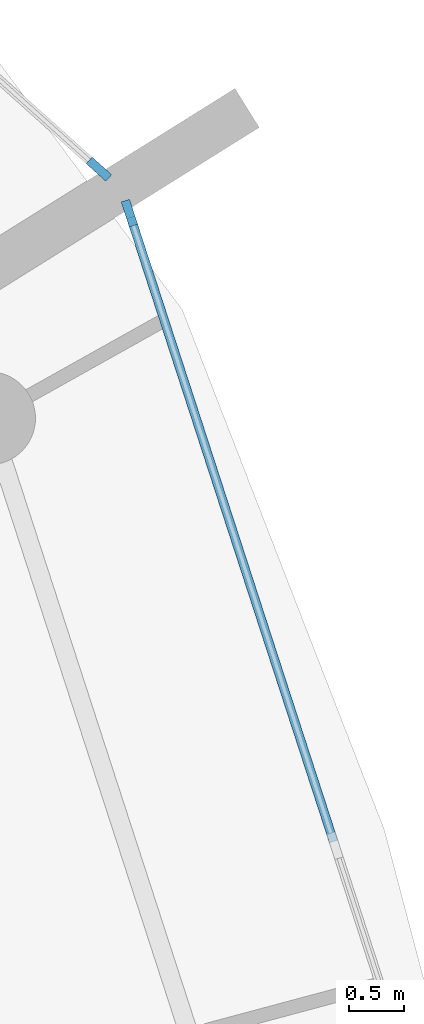
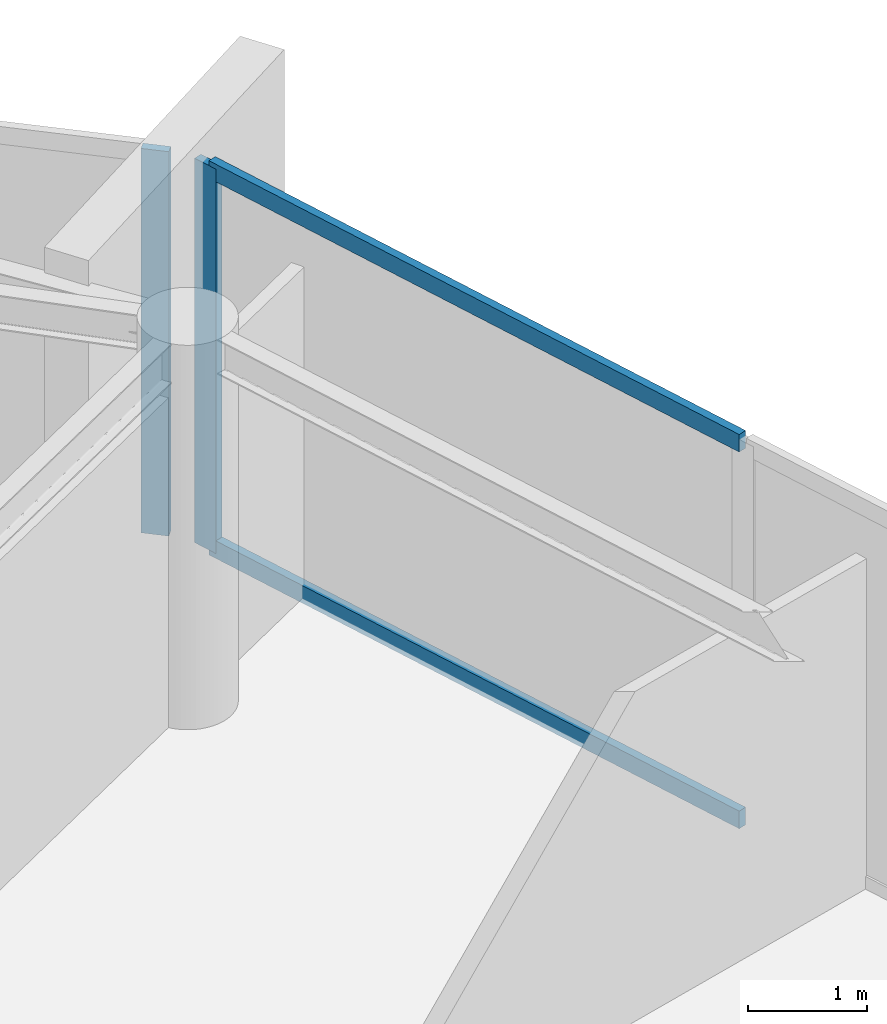
# One storey, part 8 of 22: 4 members, 2 elements without a shape of their own.
"""IFC4 building model written with IfcOpenShell, lengths in metres."""

from ifc_helpers import new_model, si_unit, direction, frame, origin, origin_2d, place, context, subcontext, project, spatial, rectangle, extrude, material, layer, layer_set, material_profile, profile_set, type_object, element, aggregate, save


model = new_model("IFC4")

# Units and contexts
model_context = context("Model", 3, precision=1e-05, world=origin(), true_north=direction((0.0, 1.0)))
body_context = subcontext(model_context, "Body", "Model", "MODEL_VIEW")
ifc_project = project(units=[si_unit("LENGTHUNIT", "METRE"), si_unit("AREAUNIT", "SQUARE_METRE"), si_unit("VOLUMEUNIT", "CUBIC_METRE"), si_unit("PLANEANGLEUNIT", "RADIAN"), si_unit("MASSUNIT", "GRAM", prefix="KILO")], contexts=[model_context])

# Site, building, storey
site_placement = place(None, origin())
site = spatial("IfcSite", under=ifc_project, at=site_placement, CompositionType="ELEMENT")
building_placement = place(site_placement, origin())
building = spatial("IfcBuilding", under=site, at=building_placement, Name="Kazma Halo Residences", CompositionType="ELEMENT")
storey_placement = place(building_placement, frame((0.0, 0.0, 322.10009765625)))
storey = spatial("IfcBuildingStorey", under=building, at=storey_placement, Name="L81", CompositionType="ELEMENT", Elevation=322.10009765625)

# Curtain wall, member
ifc_material_1 = material(Name="Aluminium AW-6063 T6 and Triple-Silver Low-E Glass", Category="aluminium")
ifc_layer = layer(ifc_material_1, 0.239990234375)
ifc_layer_set = layer_set([ifc_layer], Name="Aluminium AW-6063 T6 and Triple-Silver Low-E Glass")
curtain_wall_type = type_object("IfcCurtainWallType", Name="CW-SYS-6", PredefinedType="NOTDEFINED", material=ifc_layer_set)
curtain_wall_1_placement = place(storey_placement, origin())
curtain_wall_1 = element("IfcCurtainWall", 1, at=curtain_wall_1_placement, inside=storey, type_object=curtain_wall_type, Name="L81 unitised curtain wall B01", PredefinedType="NOTDEFINED")
ifc_material_2 = material(Name="Aluminium AW-6063 T6", Category="aluminium")
ifc_material_profile_1 = material_profile(ifc_material_2, rectangle(XDim=0.080078125, YDim=0.239990234375, at=origin_2d()), Name="CWM-80x240")
ifc_profile_set_1 = profile_set([ifc_material_profile_1], Name="Aluminium AW-6063 T6")
member_type_1 = type_object("IfcMemberType", Name="CW-SYS-6-MUL", PredefinedType="MULLION", material=ifc_profile_set_1)
member_1_placement = place(storey_placement, frame((69.968017578125, 56.013916015625, 0.0), z_axis=(0.0, 0.0, 1.0), x_axis=(-0.667757559118, -0.744378829791, 0.0)))
member_1 = element("IfcMember", 2, at=member_1_placement, type_object=member_type_1, Name="CWS-6 mullion 1", PredefinedType="MULLION", context=body_context, shape_type="SweptSolid", body=[
    extrude(rectangle(XDim=0.080078125, YDim=0.239990234375, at=origin_2d()), origin(), (0.0, 0.0, 1.0), 3.93994140625),
])
aggregate(curtain_wall_1, [member_1])

# Curtain wall, members
curtain_wall_2_placement = place(storey_placement, origin())
curtain_wall_2 = element("IfcCurtainWall", 3, at=curtain_wall_2_placement, inside=storey, type_object=curtain_wall_type, Name="L81 unitised curtain wall B16", PredefinedType="NOTDEFINED")
member_2_placement = place(storey_placement, frame((70.245849609375, 55.61328125, 0.0), z_axis=(0.0, 0.0, 1.0), x_axis=(-0.951055886462, -0.309018932797, 0.0)))
member_2 = element("IfcMember", 4, at=member_2_placement, type_object=member_type_1, Name="CWS-6 mullion 3", PredefinedType="MULLION", context=body_context, shape_type="SweptSolid", body=[
    extrude(rectangle(XDim=0.080078125, YDim=0.239990234375, at=origin_2d()), origin(), (0.0, 0.0, 1.0), 3.93994140625),
])
ifc_material_profile_2 = material_profile(ifc_material_2, rectangle(XDim=0.080078125, YDim=0.179931640625, at=origin_2d()), Name="CWT-80x180")
ifc_profile_set_2 = profile_set([ifc_material_profile_2], Name="Aluminium AW-6063 T6")
member_type_2 = type_object("IfcMemberType", Name="CW-SYS-6-TRN", PredefinedType="USERDEFINED", material=ifc_profile_set_2)
member_3_placement = place(storey_placement, frame((72.110107421875, 49.8759765625, 0.039794921875), z_axis=(-0.309019743831, 0.951055622938, 0.0), x_axis=(-0.951055622938, -0.309019743831, 0.0)))
member_3 = element("IfcMember", 5, at=member_3_placement, type_object=member_type_2, Name="CWS-6 transom 2.1", ObjectType="TRANSOM", PredefinedType="USERDEFINED", context=body_context, shape_type="SweptSolid", body=[
    extrude(rectangle(XDim=0.080078125, YDim=0.179931640625, at=origin_2d()), origin(), (0.0, 0.0, 1.0), 5.992431640625),
])
member_4_placement = place(storey_placement, frame((72.110107421875, 49.8759765625, 3.89990234375), z_axis=(-0.309019743831, 0.951055622938, 0.0), x_axis=(-0.951055622938, -0.309019743831, 0.0)))
member_4 = element("IfcMember", 6, at=member_4_placement, type_object=member_type_2, Name="CWS-6 transom 2.2", ObjectType="TRANSOM", PredefinedType="USERDEFINED", context=body_context, shape_type="SweptSolid", body=[
    extrude(rectangle(XDim=0.080078125, YDim=0.179931640625, at=origin_2d()), origin(), (0.0, 0.0, 1.0), 5.992431640625),
])
aggregate(curtain_wall_2, [member_2, member_3, member_4])

save(model, "model.ifc")
